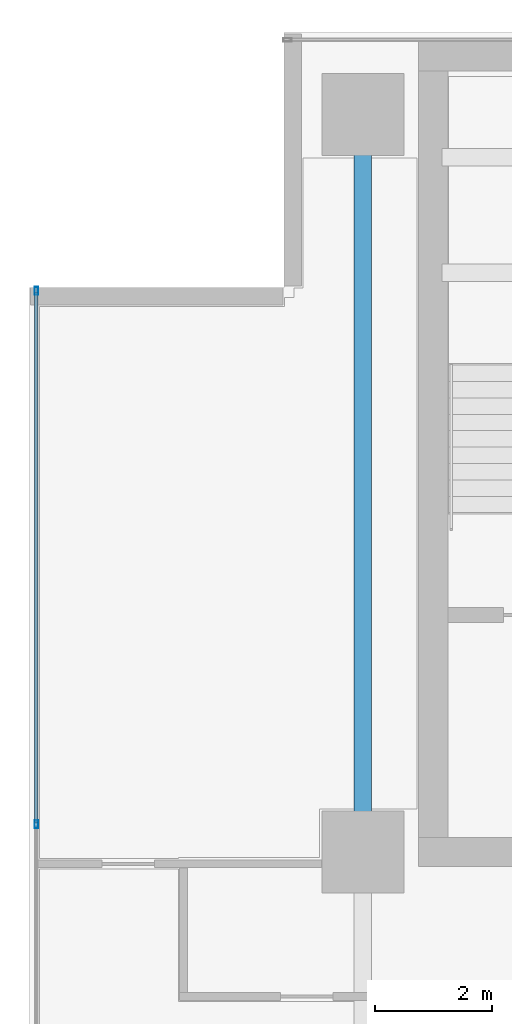
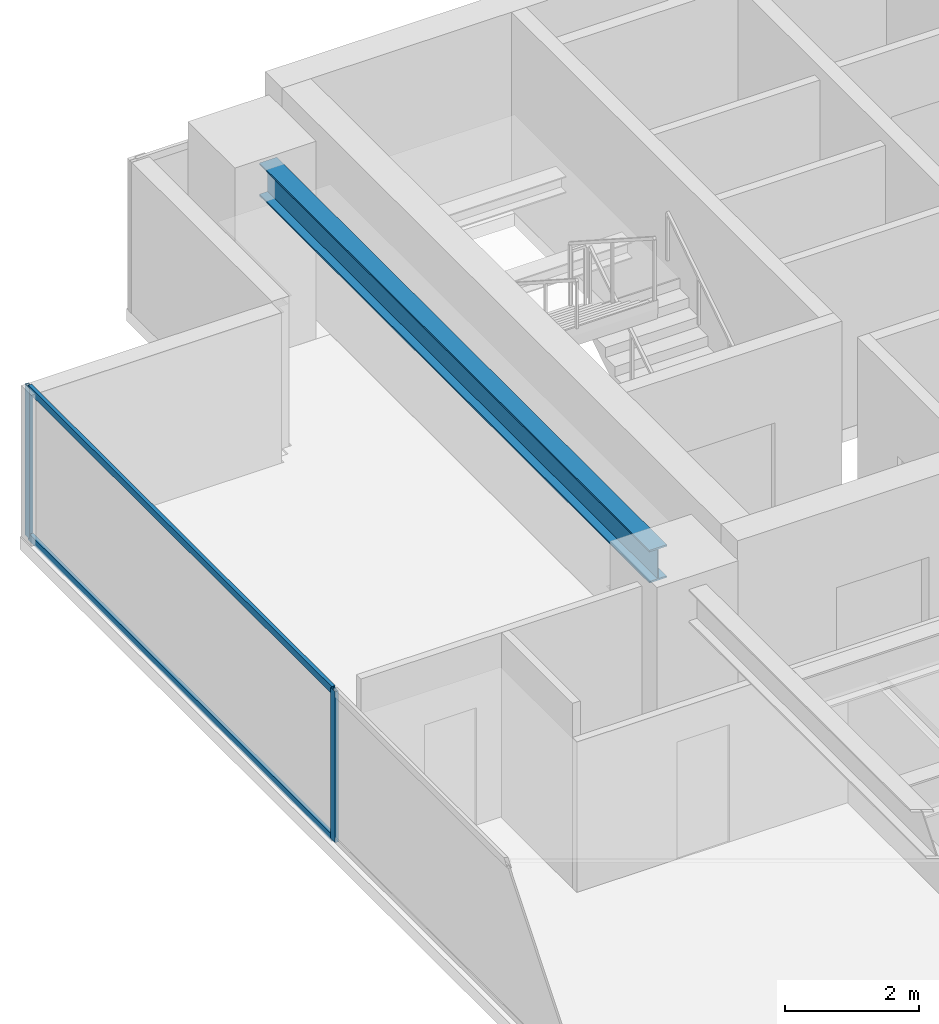
# One storey, part 9 of 25: 4 members, 1 beam, 1 element without a shape of its own.
"""IFC4 building model written with IfcOpenShell, lengths in metres."""

from ifc_helpers import new_model, si_unit, direction, frame, origin, origin_2d, place, context, subcontext, project, spatial, hollow_rectangle, i_section, extrude, source, transform, mapped, material, layer, layer_set, material_profile, profile_set, type_object, element, aggregate, save


model = new_model("IFC4")

# Units and contexts
model_context = context("Model", 3, precision=1e-05, world=origin(), true_north=direction((0.0, 1.0)))
body_context = subcontext(model_context, "Body", "Model", "MODEL_VIEW")
ifc_project = project(units=[si_unit("LENGTHUNIT", "METRE"), si_unit("AREAUNIT", "SQUARE_METRE"), si_unit("VOLUMEUNIT", "CUBIC_METRE"), si_unit("PLANEANGLEUNIT", "RADIAN"), si_unit("MASSUNIT", "GRAM", prefix="KILO")], contexts=[model_context])

# Site, building, storey
site_placement = place(None, origin())
site = spatial("IfcSite", under=ifc_project, at=site_placement, CompositionType="ELEMENT")
building_placement = place(site_placement, origin())
building = spatial("IfcBuilding", under=site, at=building_placement, Name="Sumidabori Civic Tower", CompositionType="ELEMENT")
storey_placement = place(building_placement, frame((0.0, 0.0, 239.60009765625)))
storey = spatial("IfcBuildingStorey", under=building, at=storey_placement, Name="L62", CompositionType="ELEMENT", Elevation=239.60009765625)

# Beam
ifc_material_1 = material(Name="Steel SN490", Category="steel")
ifc_material_profile_1 = material_profile(ifc_material_1, i_section(OverallWidth=0.300048828125, OverallDepth=0.60009765625, WebThickness=0.015380859375, FlangeThickness=0.030029296875, at=origin_2d()), Name="HE 600 B")
ifc_profile_set_1 = profile_set([ifc_material_profile_1], Name="Steel SN490")
beam_type = type_object("IfcBeamType", Name="BM-GIRD-600", PredefinedType="BEAM", material=ifc_profile_set_1)
shared_shape_1 = source(origin(), body_context, "Body", "SweptSolid", [
    extrude(i_section(OverallWidth=0.300048828125, OverallDepth=0.60009765625, WebThickness=0.015380859375, FlangeThickness=0.030029296875, at=origin_2d()), origin(), (0.0, 0.0, 1.0), 11.64013671875),
])
beam_placement = place(storey_placement, frame((-16.800048828125, 10.679931640625, 3.06982421875), z_axis=(0.0, 1.0, 0.0), x_axis=(-1.0, 0.0, 0.0)))
element("IfcBeam", 1, at=beam_placement, inside=storey, type_object=beam_type, Name="Primary Girder L62 GY-11", PredefinedType="BEAM", context=body_context, shape_type="MappedRepresentation", body=[
    mapped(shared_shape_1, transform((0.0, 0.0, 0.0), x_axis=(1.0, 0.0, 0.0), y_axis=(0.0, 1.0, 0.0), z_axis=(0.0, 0.0, 1.0), scale=1.0)),
])

# Curtain wall, members
ifc_material_2 = material(Name="Anodised Bronze Aluminium AW-6063-T6", Category="aluminium")
ifc_layer = layer(ifc_material_2, 0.179931640625, Name="Anodised Bronze Aluminium AW-6063-T6")
ifc_layer_set = layer_set([ifc_layer], Name="Anodised Bronze Aluminium AW-6063-T6")
curtain_wall_type = type_object("IfcCurtainWallType", Name="CW-SYS-5", PredefinedType="NOTDEFINED", material=ifc_layer_set)
curtain_wall_placement = place(storey_placement, origin())
curtain_wall = element("IfcCurtainWall", 2, at=curtain_wall_placement, inside=storey, type_object=curtain_wall_type, Name="Curtain Wall CW:L62:R10", PredefinedType="NOTDEFINED")
ifc_material_profile_2 = material_profile(ifc_material_2, hollow_rectangle(XDim=0.06005859375, YDim=0.139892578125, WallThickness=0.0048828125, at=origin_2d()), Name="ALU MULLION 140x60")
ifc_profile_set_2 = profile_set([ifc_material_profile_2], Name="Anodised Bronze Aluminium AW-6063-T6")
member_type_1 = type_object("IfcMemberType", Name="CW-MUL-140", PredefinedType="MULLION", material=ifc_profile_set_2)
shared_shape_2 = source(origin(), body_context, "Body", "SweptSolid", [
    extrude(hollow_rectangle(XDim=0.06005859375, YDim=0.139892578125, WallThickness=0.0048828125, at=origin_2d()), origin(), (0.0, 0.0, 1.0), 2.75),
])
member_1_placement = place(storey_placement, frame((-22.3798828125, 19.7900390625, 0.0), z_axis=(0.0, 0.0, 1.0), x_axis=(1.0, 0.0, 0.0)))
member_1 = element("IfcMember", 3, at=member_1_placement, type_object=member_type_1, Name="CW-5 mullion 1", PredefinedType="MULLION", context=body_context, shape_type="MappedRepresentation", body=[
    mapped(shared_shape_2, transform((0.0, 0.0, 0.0), x_axis=(1.0, 0.0, 0.0), y_axis=(0.0, 1.0, 0.0), z_axis=(0.0, 0.0, 1.0), scale=1.0)),
])
member_2_placement = place(storey_placement, frame((-22.3798828125, 10.67333984375, 0.0), z_axis=(0.0, 0.0, 1.0), x_axis=(1.0, 0.0, 0.0)))
member_2 = element("IfcMember", 4, at=member_2_placement, type_object=member_type_1, Name="CW-5 mullion 2", PredefinedType="MULLION", context=body_context, shape_type="MappedRepresentation", body=[
    mapped(shared_shape_2, transform((0.0, 0.0, 0.0), x_axis=(1.0, 0.0, 0.0), y_axis=(0.0, 1.0, 0.0), z_axis=(0.0, 0.0, 1.0), scale=1.0)),
])
ifc_material_profile_3 = material_profile(ifc_material_2, hollow_rectangle(XDim=0.06005859375, YDim=0.1298828125, WallThickness=0.0048828125, at=origin_2d()), Name="ALU TRANSOM 130x60")
ifc_profile_set_3 = profile_set([ifc_material_profile_3], Name="Anodised Bronze Aluminium AW-6063-T6")
member_type_2 = type_object("IfcMemberType", Name="CW-TRN-130", PredefinedType="USERDEFINED", material=ifc_profile_set_3)
shared_shape_3 = source(origin(), body_context, "Body", "SweptSolid", [
    extrude(hollow_rectangle(XDim=0.06005859375, YDim=0.1298828125, WallThickness=0.0048828125, at=origin_2d()), origin(), (0.0, 0.0, 1.0), 9.056640625),
])
member_3_placement = place(storey_placement, frame((-22.3798828125, 19.760009765625, 0.02978515625), z_axis=(0.0, -1.0, 0.0), x_axis=(1.0, 0.0, 0.0)))
member_3 = element("IfcMember", 5, at=member_3_placement, type_object=member_type_2, Name="CW-5 transom 1.1", ObjectType="TRANSOM", PredefinedType="USERDEFINED", context=body_context, shape_type="MappedRepresentation", body=[
    mapped(shared_shape_3, transform((0.0, 0.0, 0.0), x_axis=(1.0, 0.0, 0.0), y_axis=(0.0, 1.0, 0.0), z_axis=(0.0, 0.0, 1.0), scale=1.0)),
])
member_4_placement = place(storey_placement, frame((-22.3798828125, 19.760009765625, 2.719970703125), z_axis=(0.0, -1.0, 0.0), x_axis=(1.0, 0.0, 0.0)))
member_4 = element("IfcMember", 6, at=member_4_placement, type_object=member_type_2, Name="CW-5 transom 1.2", ObjectType="TRANSOM", PredefinedType="USERDEFINED", context=body_context, shape_type="MappedRepresentation", body=[
    mapped(shared_shape_3, transform((0.0, 0.0, 0.0), x_axis=(1.0, 0.0, 0.0), y_axis=(0.0, 1.0, 0.0), z_axis=(0.0, 0.0, 1.0), scale=1.0)),
])
aggregate(curtain_wall, [member_1, member_2, member_3, member_4])

save(model, "model.ifc")
